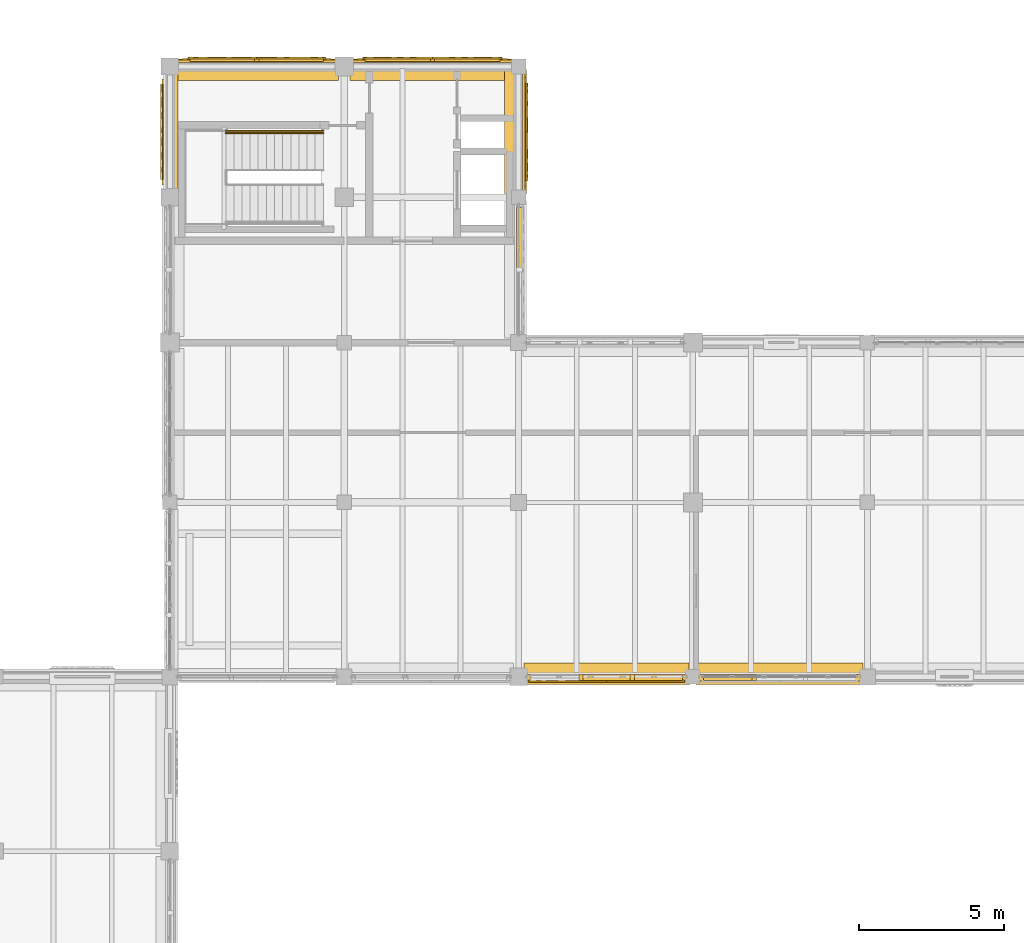
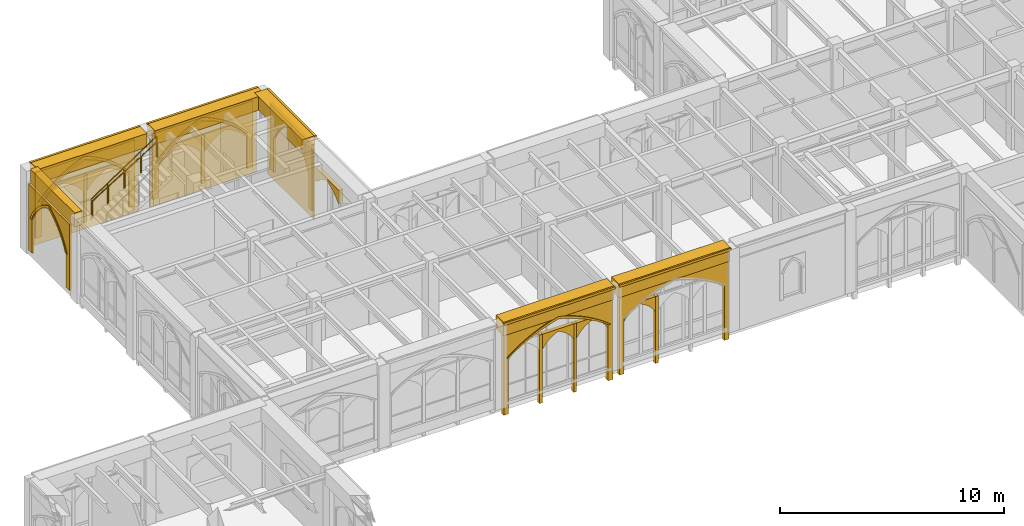
# One storey, part 121 of 143: 38 coverings, 2 railings.
"""IFC4 building model written with IfcOpenShell, lengths in metres."""

from ifc_helpers import new_model, si_unit, direction, frame, origin, origin_2d, place, context, subcontext, project, spatial, polyline, rectangle, circle, outline, extrude, material, type_object, element, save


model = new_model("IFC4")

# Units and contexts
model_context = context("Model", 3, precision=1e-05, world=origin(), true_north=direction((0.0, 1.0)))
body_context = subcontext(model_context, "Body", "Model", "MODEL_VIEW")
ifc_project = project(units=[si_unit("LENGTHUNIT", "METRE"), si_unit("AREAUNIT", "SQUARE_METRE"), si_unit("VOLUMEUNIT", "CUBIC_METRE"), si_unit("PLANEANGLEUNIT", "RADIAN"), si_unit("MASSUNIT", "GRAM", prefix="KILO")], contexts=[model_context])

# Site, building, storey
site_placement = place(None, origin())
site = spatial("IfcSite", under=ifc_project, at=site_placement, CompositionType="ELEMENT")
building_placement = place(site_placement, origin())
building = spatial("IfcBuilding", under=site, at=building_placement, Name="Cumevento Cable Car Station", CompositionType="ELEMENT")
storey_placement = place(building_placement, frame((0.0, 0.0, 9.0)))
storey = spatial("IfcBuildingStorey", under=building, at=storey_placement, Name="L03", CompositionType="ELEMENT", Elevation=9.0)

# Railings
ifc_material_1 = material(Name="Painted Galvanised Architectural Steel", Category="steel")
railing_type_1 = type_object("IfcRailingType", Name="Stair Guardrail GR-S115", PredefinedType="GUARDRAIL", material=ifc_material_1)
railing_1_placement = place(storey_placement, frame((23.919921875, 63.7900390625, 2.25)))
element("IfcRailing", 1, at=railing_1_placement, inside=storey, type_object=railing_type_1, Name="Stair Outer Guardrail ST-04-L03 F2", PredefinedType="GUARDRAIL", context=body_context, shape_type="SweptSolid", body=[
    extrude(circle(Radius=0.02392578125, at=origin_2d()), frame((0.0, 0.0, 1.1259765625), z_axis=(0.830915400975, 0.0, 0.556398774641), x_axis=(0.0, 1.0, 0.0)), (0.0, 0.0, 1.0), 4.0439453125),
    extrude(circle(Radius=0.02001953125, at=origin_2d()), origin(), (0.0, 0.0, 1.0), 1.101806640625),
    extrude(circle(Radius=0.02001953125, at=origin_2d()), frame((0.840087890625, 0.0, 0.5625)), (0.0, 0.0, 1.0), 1.101806640625),
    extrude(circle(Radius=0.02001953125, at=origin_2d()), frame((1.68017578125, 0.0, 1.125)), (0.0, 0.0, 1.0), 1.101806640625),
    extrude(circle(Radius=0.02001953125, at=origin_2d()), frame((2.52001953125, 0.0, 1.6875)), (0.0, 0.0, 1.0), 1.101806640625),
    extrude(circle(Radius=0.02001953125, at=origin_2d()), frame((3.360107421875, 0.0, 2.25)), (0.0, 0.0, 1.0), 1.101806640625),
])
ifc_material_2 = material(Name="Brushed Stainless Steel Handrail Tube", Category="steel")
railing_type_2 = type_object("IfcRailingType", Name="Stair Handrail HR-090", PredefinedType="HANDRAIL", material=ifc_material_2)
railing_2_placement = place(storey_placement, frame((23.919921875, 63.7099609375, 2.42626953125)))
element("IfcRailing", 2, at=railing_2_placement, inside=storey, type_object=railing_type_2, Name="Stair Pitch Handrail ST-04-L03 F2", PredefinedType="HANDRAIL", context=body_context, shape_type="SweptSolid", body=[
    extrude(circle(Radius=0.02099609375, at=origin_2d()), frame((0.0, 0.0, 0.87890625), z_axis=(0.850623216509, 0.0, 0.525775754039), x_axis=(0.0, 1.0, 0.0)), (0.0, 0.0, 1.0), 3.9501953125),
    extrude(circle(Radius=0.01611328125, at=origin_2d()), origin(), (0.0, 0.0, 1.0), 0.85791015625),
    extrude(circle(Radius=0.01611328125, at=origin_2d()), frame((0.840087890625, 0.0, 0.519287109375)), (0.0, 0.0, 1.0), 0.85791015625),
    extrude(circle(Radius=0.01611328125, at=origin_2d()), frame((1.68017578125, 0.0, 1.03857421875)), (0.0, 0.0, 1.0), 0.85791015625),
    extrude(circle(Radius=0.01611328125, at=origin_2d()), frame((2.52001953125, 0.0, 1.5576171875)), (0.0, 0.0, 1.0), 0.85791015625),
    extrude(circle(Radius=0.01611328125, at=origin_2d()), frame((3.360107421875, 0.0, 2.076904296875)), (0.0, 0.0, 1.0), 0.85791015625),
])

# Coverings
ifc_material_3 = material(Name="Gnaisse Facoidal Stone Ashlar 85 MPa", Category="masonry")
covering_type = type_object("IfcCoveringType", Name="Gnaisse Ashlar Cladding CV-CL01", PredefinedType="CLADDING", material=ifc_material_3)
covering_1_placement = place(storey_placement, frame((37.02490234375, 45.14990234375, 3.8330078125), z_axis=(0.0, 0.0, 1.0), x_axis=(-1.0, 0.0, 0.0)))
element("IfcCovering", 3, at=covering_1_placement, inside=storey, type_object=covering_type, Name="Gothic Stone Spandrel Stringcourse sc:0628", PredefinedType="CLADDING", context=body_context, shape_type="SweptSolid", body=[
    extrude(rectangle(XDim=5.68994140625, YDim=0.659912109375, at=origin_2d()), origin(), (0.0, 0.0, 1.0), 0.7470703125),
])
covering_2_placement = place(storey_placement, frame((37.02490234375, 44.79248046875, 4.449951171875), z_axis=(0.0, 0.0, 1.0), x_axis=(-1.0, 0.0, 0.0)))
element("IfcCovering", 4, at=covering_2_placement, inside=storey, type_object=covering_type, Name="Gothic Cornice Dripstone Lip sc:0628", PredefinedType="CLADDING", context=body_context, shape_type="SweptSolid", body=[
    extrude(rectangle(XDim=5.72998046875, YDim=0.114990234375, at=origin_2d()), origin(), (0.0, 0.0, 1.0), 0.1298828125),
])
covering_3_placement = place(storey_placement, frame((42.987548828125, 45.14990234375, 3.8330078125), z_axis=(0.0, 0.0, 1.0), x_axis=(-1.0, 0.0, 0.0)))
element("IfcCovering", 5, at=covering_3_placement, inside=storey, type_object=covering_type, Name="Gothic Stone Spandrel Stringcourse sc:0629", PredefinedType="CLADDING", context=body_context, shape_type="SweptSolid", body=[
    extrude(rectangle(XDim=5.715087890625, YDim=0.659912109375, at=origin_2d()), origin(), (0.0, 0.0, 1.0), 0.7470703125),
])
covering_4_placement = place(storey_placement, frame((42.987548828125, 44.79248046875, 4.449951171875), z_axis=(0.0, 0.0, 1.0), x_axis=(-1.0, 0.0, 0.0)))
element("IfcCovering", 6, at=covering_4_placement, inside=storey, type_object=covering_type, Name="Gothic Cornice Dripstone Lip sc:0629", PredefinedType="CLADDING", context=body_context, shape_type="SweptSolid", body=[
    extrude(rectangle(XDim=5.7548828125, YDim=0.114990234375, at=origin_2d()), origin(), (0.0, 0.0, 1.0), 0.1298828125),
])
covering_5_placement = place(storey_placement, frame((24.987548828125, 65.85009765625, 3.796875), z_axis=(0.0, 0.0, 1.0), x_axis=(1.0, 0.0, 0.0)))
element("IfcCovering", 7, at=covering_5_placement, inside=storey, type_object=covering_type, Name="Gothic Stone Spandrel Stringcourse sc:0636", PredefinedType="CLADDING", context=body_context, shape_type="SweptSolid", body=[
    extrude(rectangle(XDim=5.614990234375, YDim=0.659912109375, at=origin_2d()), origin(), (0.0, 0.0, 1.0), 0.7470703125),
])
covering_6_placement = place(storey_placement, frame((24.987548828125, 66.20751953125, 4.4140625), z_axis=(0.0, 0.0, 1.0), x_axis=(1.0, 0.0, 0.0)))
element("IfcCovering", 8, at=covering_6_placement, inside=storey, type_object=covering_type, Name="Gothic Cornice Dripstone Lip sc:0636", PredefinedType="CLADDING", context=body_context, shape_type="SweptSolid", body=[
    extrude(rectangle(XDim=5.655029296875, YDim=0.114990234375, at=origin_2d()), origin(), (0.0, 0.0, 1.0), 0.1298828125),
])
covering_7_placement = place(storey_placement, frame((31.03759765625, 65.85009765625, 3.796875), z_axis=(0.0, 0.0, 1.0), x_axis=(1.0, 0.0, 0.0)))
element("IfcCovering", 9, at=covering_7_placement, inside=storey, type_object=covering_type, Name="Gothic Stone Spandrel Stringcourse sc:0637", PredefinedType="CLADDING", context=body_context, shape_type="SweptSolid", body=[
    extrude(rectangle(XDim=5.6650390625, YDim=0.659912109375, at=origin_2d()), origin(), (0.0, 0.0, 1.0), 0.7470703125),
])
covering_8_placement = place(storey_placement, frame((31.03759765625, 66.20751953125, 4.4140625), z_axis=(0.0, 0.0, 1.0), x_axis=(1.0, 0.0, 0.0)))
element("IfcCovering", 10, at=covering_8_placement, inside=storey, type_object=covering_type, Name="Gothic Cornice Dripstone Lip sc:0637", PredefinedType="CLADDING", context=body_context, shape_type="SweptSolid", body=[
    extrude(rectangle(XDim=5.705078125, YDim=0.114990234375, at=origin_2d()), origin(), (0.0, 0.0, 1.0), 0.1298828125),
])
covering_9_placement = place(storey_placement, frame((22.090087890625, 63.75, 3.796875), z_axis=(0.0, 0.0, 1.0), x_axis=(0.0, 1.0, 0.0)))
element("IfcCovering", 11, at=covering_9_placement, inside=storey, type_object=covering_type, Name="Gothic Stone Spandrel Stringcourse sc:0639", PredefinedType="CLADDING", context=body_context, shape_type="SweptSolid", body=[
    extrude(rectangle(XDim=3.9599609375, YDim=0.3798828125, at=origin_2d()), origin(), (0.0, 0.0, 1.0), 0.7470703125),
])
covering_10_placement = place(storey_placement, frame((33.85009765625, 63.75, 3.796875), z_axis=(0.0, 0.0, 1.0), x_axis=(0.0, -1.0, 0.0)))
element("IfcCovering", 12, at=covering_10_placement, inside=storey, type_object=covering_type, Name="Gothic Stone Spandrel Stringcourse sc:0641", PredefinedType="CLADDING", context=body_context, shape_type="SweptSolid", body=[
    extrude(rectangle(XDim=4.239990234375, YDim=0.659912109375, at=origin_2d()), origin(), (0.0, 0.0, 1.0), 0.7470703125),
])
covering_11_placement = place(storey_placement, frame((34.20751953125, 63.75, 4.4140625), z_axis=(0.0, 0.0, 1.0), x_axis=(0.0, -1.0, 0.0)))
element("IfcCovering", 13, at=covering_11_placement, inside=storey, type_object=covering_type, Name="Gothic Cornice Dripstone Lip sc:0641", PredefinedType="CLADDING", context=body_context, shape_type="SweptSolid", body=[
    extrude(rectangle(XDim=4.280029296875, YDim=0.114990234375, at=origin_2d()), origin(), (0.0, 0.0, 1.0), 0.1298828125),
])
placement_1 = place(storey_placement, frame((39.75, 45.0, -0.52001953125), z_axis=(0.0, 0.0, 1.0), x_axis=(-1.0, 0.0, 0.0)))
element("IfcCovering", 14, at=placement_1, inside=storey, type_object=covering_type, Name="Gothic Ogival Pointed-Arch Stone Spandrel cw_ogival:0096", PredefinedType="CLADDING", context=body_context, shape_type="SweptSolid", body=[
    extrude(outline(polyline([(-0.080078125, 0.0), (-0.080078125, 4.492919921875), (5.530029296875, 4.492919921875), (5.530029296875, 0.0), (5.2900390625, 0.0), (5.2900390625, 3.069091796875), (4.999755859375, 3.2783203125), (4.69921875, 3.47216796875), (4.38916015625, 3.650634765625), (4.0703125, 3.812744140625), (3.74365234375, 3.95849609375), (3.409912109375, 4.08740234375), (3.070068359375, 4.198974609375), (2.72509765625, 4.29296875), (2.3798828125, 4.198974609375), (2.0400390625, 4.08740234375), (1.706298828125, 3.95849609375), (1.379638671875, 3.812744140625), (1.060791015625, 3.650634765625), (0.750732421875, 3.47216796875), (0.4501953125, 3.2783203125), (0.159912109375, 3.069091796875), (0.159912109375, 0.0), (-0.080078125, 0.0)])), frame((0.0, 0.139892578125, 0.0), z_axis=(0.0, -1.0, 0.0), x_axis=(1.0, 0.0, 0.0)), (0.0, 0.0, 1.0), 0.219970703125),
])
covering_13_placement = place(storey_placement, frame((39.75, 45.0, 2.549072265625), z_axis=(0.0, 0.0, 1.0), x_axis=(-1.0, 0.0, 0.0)))
element("IfcCovering", 15, at=covering_13_placement, inside=storey, type_object=covering_type, Name="Gothic Pointed Archivolt Hood Moulding cw_ogival:0096", PredefinedType="CLADDING", context=body_context, shape_type="SweptSolid", body=[
    extrude(outline(polyline([(0.159912109375, 0.0), (0.4501953125, 0.209228515625), (0.750732421875, 0.403076171875), (1.060791015625, 0.58154296875), (1.379638671875, 0.74365234375), (1.706298828125, 0.889404296875), (2.0400390625, 1.018310546875), (2.3798828125, 1.1298828125), (2.72509765625, 1.223876953125), (3.070068359375, 1.1298828125), (3.409912109375, 1.018310546875), (3.74365234375, 0.889404296875), (4.0703125, 0.74365234375), (4.38916015625, 0.58154296875), (4.69921875, 0.403076171875), (4.999755859375, 0.209228515625), (5.2900390625, 0.0), (5.39990234375, 0.0), (5.101318359375, 0.23193359375), (4.79052734375, 0.447265625), (4.46875, 0.6455078125), (4.136474609375, 0.826171875), (3.794921875, 0.98828125), (3.4453125, 1.132080078125), (3.088134765625, 1.25634765625), (2.72509765625, 1.361328125), (2.36181640625, 1.25634765625), (2.004638671875, 1.132080078125), (1.655029296875, 0.98828125), (1.3134765625, 0.826171875), (0.981201171875, 0.6455078125), (0.659423828125, 0.447265625), (0.3486328125, 0.23193359375), (0.050048828125, 0.0), (0.159912109375, 0.0)])), frame((0.0, 0.181884765625, 0.0), z_axis=(0.0, -1.0, 0.0), x_axis=(1.0, 0.0, 0.0)), (0.0, 0.0, 1.0), 0.06689453125),
])
element("IfcCovering", 16, at=placement_1, inside=storey, type_object=covering_type, Name="Gothic Bifora Stone Colonnette cw_ogival:0096 #1", PredefinedType="CLADDING", context=body_context, shape_type="SweptSolid", body=[
    extrude(outline(polyline([(1.77001953125, -0.02001953125), (1.919921875, -0.02001953125), (1.919921875, 3.70556640625), (1.77001953125, 3.70556640625), (1.77001953125, -0.02001953125)])), frame((0.0, 0.1279296875, 0.0), z_axis=(0.0, -1.0, 0.0), x_axis=(1.0, 0.0, 0.0)), (0.0, 0.0, 1.0), 0.205078125),
])
element("IfcCovering", 17, at=placement_1, inside=storey, type_object=covering_type, Name="Gothic Bifora Stone Colonnette cw_ogival:0096 #2", PredefinedType="CLADDING", context=body_context, shape_type="SweptSolid", body=[
    extrude(outline(polyline([(3.530029296875, -0.02001953125), (3.679931640625, -0.02001953125), (3.679931640625, 3.70556640625), (3.530029296875, 3.70556640625), (3.530029296875, -0.02001953125)])), frame((0.0, 0.1279296875, 0.0), z_axis=(0.0, -1.0, 0.0), x_axis=(1.0, 0.0, 0.0)), (0.0, 0.0, 1.0), 0.205078125),
])
for number, where, z_axis, x_axis, name in (
    (18, (39.6201171875, 45.0, 2.369140625), (0.0, 0.0, 1.0), (-1.0, 0.0, 0.0), "Gothic Ogival Pointed-Arch Stone Spandrel cw_ogival:0096:sub:0"),
    (19, (37.860107421875, 45.0, 2.369140625), (0.0, 0.0, 1.0), (-1.0, 0.0, 0.0), "Gothic Ogival Pointed-Arch Stone Spandrel cw_ogival:0096:sub:1"),
):
    element("IfcCovering", number, at=place(storey_placement, frame(where, z_axis=z_axis, x_axis=x_axis)), inside=storey, type_object=covering_type, Name=name, PredefinedType="CLADDING", context=body_context, shape_type="SweptSolid", body=[
        extrude(outline(polyline([(-0.02001953125, 0.0), (-0.02001953125, 0.81640625), (1.68994140625, 0.81640625), (1.68994140625, 0.0), (1.6298828125, 0.0), (1.5322265625, 0.150390625), (1.418701171875, 0.2890625), (1.29052734375, 0.41455078125), (1.1494140625, 0.525146484375), (0.996826171875, 0.619384765625), (0.8349609375, 0.6962890625), (0.673095703125, 0.619384765625), (0.5205078125, 0.525146484375), (0.37939453125, 0.41455078125), (0.251220703125, 0.2890625), (0.1376953125, 0.150390625), (0.0400390625, 0.0), (-0.02001953125, 0.0)])), frame((0.0, 0.1240234375, 0.0), z_axis=(0.0, -1.0, 0.0), x_axis=(1.0, 0.0, 0.0)), (0.0, 0.0, 1.0), 0.199951171875),
    ])
placement_2 = place(storey_placement, frame((45.72509765625, 45.0, -0.419921875), z_axis=(0.0, 0.0, 1.0), x_axis=(-1.0, 0.0, 0.0)))
element("IfcCovering", 20, at=placement_2, inside=storey, type_object=covering_type, Name="Gothic Ogival Pointed-Arch Stone Spandrel cw_ogival:0098", PredefinedType="CLADDING", context=body_context, shape_type="SweptSolid", body=[
    extrude(outline(polyline([(-0.080078125, 0.0), (-0.080078125, 4.39306640625), (5.554931640625, 4.39306640625), (5.554931640625, 0.0), (5.31494140625, 0.0), (5.31494140625, 3.005126953125), (5.021484375, 3.20849609375), (4.71826171875, 3.39697265625), (4.406005859375, 3.570068359375), (4.08544921875, 3.7275390625), (3.757568359375, 3.868896484375), (3.423095703125, 3.99365234375), (3.082763671875, 4.101806640625), (2.737548828125, 4.193115234375), (2.392333984375, 4.101806640625), (2.052001953125, 3.99365234375), (1.717529296875, 3.868896484375), (1.3896484375, 3.7275390625), (1.069091796875, 3.570068359375), (0.7568359375, 3.39697265625), (0.45361328125, 3.20849609375), (0.159912109375, 3.005126953125), (0.159912109375, 0.0), (-0.080078125, 0.0)])), frame((0.0, 0.139892578125, 0.0), z_axis=(0.0, -1.0, 0.0), x_axis=(1.0, 0.0, 0.0)), (0.0, 0.0, 1.0), 0.219970703125),
])
element("IfcCovering", 21, at=placement_2, inside=storey, type_object=covering_type, Name="Gothic Bifora Stone Colonnette cw_ogival:0098 #2", PredefinedType="CLADDING", context=body_context, shape_type="SweptSolid", body=[
    extrude(outline(polyline([(3.546630859375, -0.02001953125), (3.69677734375, -0.02001953125), (3.69677734375, 3.622802734375), (3.546630859375, 3.622802734375), (3.546630859375, -0.02001953125)])), frame((0.0, 0.1279296875, 0.0), z_axis=(0.0, -1.0, 0.0), x_axis=(1.0, 0.0, 0.0)), (0.0, 0.0, 1.0), 0.205078125),
])
covering_18_placement = place(storey_placement, frame((42.058349609375, 45.0, 2.405029296875), z_axis=(0.0, 0.0, 1.0), x_axis=(-1.0, 0.0, 0.0)))
element("IfcCovering", 22, at=covering_18_placement, inside=storey, type_object=covering_type, Name="Gothic Ogival Pointed-Arch Stone Spandrel cw_ogival:0098:sub:2", PredefinedType="CLADDING", context=body_context, shape_type="SweptSolid", body=[
    extrude(outline(polyline([(-0.02001953125, 0.0), (-0.02001953125, 0.797607421875), (1.6982421875, 0.797607421875), (1.6982421875, 0.0), (1.638427734375, 0.0), (1.538330078125, 0.146728515625), (1.423095703125, 0.281982421875), (1.2939453125, 0.404052734375), (1.15234375, 0.511474609375), (1.000244140625, 0.60302734375), (0.839111328125, 0.677734375), (0.677978515625, 0.60302734375), (0.52587890625, 0.511474609375), (0.38427734375, 0.404052734375), (0.255126953125, 0.281982421875), (0.139892578125, 0.146728515625), (0.0400390625, 0.0), (-0.02001953125, 0.0)])), frame((0.0, 0.1240234375, 0.0), z_axis=(0.0, -1.0, 0.0), x_axis=(1.0, 0.0, 0.0)), (0.0, 0.0, 1.0), 0.199951171875),
])
covering_19_placement = place(storey_placement, frame((34.0, 61.1201171875, 2.4755859375), z_axis=(0.0, 0.0, 1.0), x_axis=(0.0, -1.0, 0.0)))
element("IfcCovering", 23, at=covering_19_placement, inside=storey, type_object=covering_type, Name="Gothic Ogival Pointed-Arch Stone Spandrel cw_ogival:0103:sub:0", PredefinedType="CLADDING", context=body_context, shape_type="SweptSolid", body=[
    extrude(outline(polyline([(-0.02001953125, 0.0), (-0.02001953125, 0.7421875), (2.08251953125, 0.7421875), (2.08251953125, 0.0), (2.0224609375, 0.0), (1.881591796875, 0.137939453125), (1.7294921875, 0.263427734375), (1.567138671875, 0.37548828125), (1.395751953125, 0.472900390625), (1.216796875, 0.555419921875), (1.03125, 0.622314453125), (0.845703125, 0.555419921875), (0.666748046875, 0.472900390625), (0.495361328125, 0.37548828125), (0.3330078125, 0.263427734375), (0.180908203125, 0.137939453125), (0.0400390625, 0.0), (-0.02001953125, 0.0)])), frame((0.0, 0.1240234375, 0.0), z_axis=(0.0, -1.0, 0.0), x_axis=(1.0, 0.0, 0.0)), (0.0, 0.0, 1.0), 0.199951171875),
])
covering_20_placement = place(storey_placement, frame((22.300048828125, 66.0, 0.0), z_axis=(0.0, 0.0, 1.0), x_axis=(1.0, 0.0, 0.0)))
element("IfcCovering", 24, at=covering_20_placement, inside=storey, type_object=covering_type, Name="Exterior Gnaisse Stone Wall Ashlar #243", PredefinedType="CLADDING", context=body_context, shape_type="SweptSolid", body=[
    extrude(outline(polyline([(-0.0400390625, -0.02001953125), (5.4150390625, -0.02001953125), (5.4150390625, 3.876953125), (-0.0400390625, 3.876953125), (-0.0400390625, -0.02001953125)])), frame((0.0, 0.222412109375, 0.0), z_axis=(0.0, -1.0, 0.0), x_axis=(1.0, 0.0, 0.0)), (0.0, 0.0, 1.0), 0.0849609375),
])
placement_3 = place(storey_placement, frame((22.47998046875, 66.0, 0.300048828125), z_axis=(0.0, 0.0, 1.0), x_axis=(1.0, 0.0, 0.0)))
element("IfcCovering", 25, at=placement_3, inside=storey, type_object=covering_type, Name="Gothic Ogival Pointed-Arch Stone Spandrel blind_ogival:0243", PredefinedType="CLADDING", context=body_context, shape_type="SweptSolid", body=[
    extrude(outline(polyline([(-0.050048828125, 0.0), (-0.050048828125, 3.596923828125), (5.06494140625, 3.596923828125), (5.06494140625, 0.0), (4.7548828125, 0.0), (4.7548828125, 1.85986328125), (4.48974609375, 2.148681640625), (4.20263671875, 2.416015625), (3.895751953125, 2.659912109375), (3.57080078125, 2.87939453125), (3.2294921875, 3.07275390625), (2.87451171875, 3.239013671875), (2.507568359375, 3.376953125), (2.140380859375, 3.239013671875), (1.785400390625, 3.07275390625), (1.444091796875, 2.87939453125), (1.119140625, 2.659912109375), (0.812255859375, 2.416015625), (0.525146484375, 2.148681640625), (0.260009765625, 1.85986328125), (0.260009765625, 0.0), (-0.050048828125, 0.0)])), frame((0.0, 0.277587890625, 0.0), z_axis=(0.0, -1.0, 0.0), x_axis=(1.0, 0.0, 0.0)), (0.0, 0.0, 1.0), 0.110107421875),
])
covering_22_placement = place(storey_placement, frame((22.47998046875, 66.0, 2.159912109375), z_axis=(0.0, 0.0, 1.0), x_axis=(1.0, 0.0, 0.0)))
element("IfcCovering", 26, at=covering_22_placement, inside=storey, type_object=covering_type, Name="Gothic Pointed Archivolt Hood Moulding blind_ogival:0243", PredefinedType="CLADDING", context=body_context, shape_type="SweptSolid", body=[
    extrude(outline(polyline([(0.260009765625, 0.0), (0.525146484375, 0.288818359375), (0.812255859375, 0.55615234375), (1.119140625, 0.800048828125), (1.444091796875, 1.01953125), (1.785400390625, 1.212890625), (2.140380859375, 1.379150390625), (2.507568359375, 1.51708984375), (2.87451171875, 1.379150390625), (3.2294921875, 1.212890625), (3.57080078125, 1.01953125), (3.895751953125, 0.800048828125), (4.20263671875, 0.55615234375), (4.48974609375, 0.288818359375), (4.7548828125, 0.0), (4.8759765625, 0.0), (4.600830078125, 0.316650390625), (4.30126953125, 0.60986328125), (3.979248046875, 0.878173828125), (3.63623046875, 1.11962890625), (3.275146484375, 1.332763671875), (2.89794921875, 1.51611328125), (2.507568359375, 1.66845703125), (2.116943359375, 1.51611328125), (1.73974609375, 1.332763671875), (1.378662109375, 1.11962890625), (1.03564453125, 0.878173828125), (0.713623046875, 0.60986328125), (0.4140625, 0.316650390625), (0.138916015625, 0.0), (0.260009765625, 0.0)])), frame((0.0, 0.319580078125, 0.0), z_axis=(0.0, -1.0, 0.0), x_axis=(1.0, 0.0, 0.0)), (0.0, 0.0, 1.0), 0.06689453125),
])
element("IfcCovering", 27, at=placement_3, inside=storey, type_object=covering_type, Name="Gothic Bifora Stone Colonnette blind_ogival:0243 #1", PredefinedType="CLADDING", context=body_context, shape_type="SweptSolid", body=[
    extrude(outline(polyline([(2.4326171875, -0.02001953125), (2.58251953125, -0.02001953125), (2.58251953125, 2.648681640625), (2.4326171875, 2.648681640625), (2.4326171875, -0.02001953125)])), frame((0.0, 0.265380859375, 0.0), z_axis=(0.0, -1.0, 0.0), x_axis=(1.0, 0.0, 0.0)), (0.0, 0.0, 1.0), 0.094970703125),
])
for number, where, z_axis, x_axis, name in (
    (28, (22.7099609375, 66.0, 1.97998046875), (0.0, 0.0, 1.0), (1.0, 0.0, 0.0), "Gothic Ogival Pointed-Arch Stone Spandrel blind_ogival:0243:sub:0"),
    (29, (25.032470703125, 66.0, 1.97998046875), (0.0, 0.0, 1.0), (1.0, 0.0, 0.0), "Gothic Ogival Pointed-Arch Stone Spandrel blind_ogival:0243:sub:1"),
):
    element("IfcCovering", number, at=place(storey_placement, frame(where, z_axis=z_axis, x_axis=x_axis)), inside=storey, type_object=covering_type, Name=name, PredefinedType="CLADDING", context=body_context, shape_type="SweptSolid", body=[
        extrude(outline(polyline([(-0.02001953125, 0.0), (-0.02001953125, 0.968994140625), (2.25244140625, 0.968994140625), (2.25244140625, 0.0), (2.1923828125, 0.0), (2.052490234375, 0.18505859375), (1.89453125, 0.35498046875), (1.719970703125, 0.5078125), (1.53076171875, 0.641845703125), (1.328857421875, 0.756103515625), (1.1162109375, 0.848876953125), (0.903564453125, 0.756103515625), (0.70166015625, 0.641845703125), (0.512451171875, 0.5078125), (0.337890625, 0.35498046875), (0.179931640625, 0.18505859375), (0.0400390625, 0.0), (-0.02001953125, 0.0)])), frame((0.0, 0.261474609375, 0.0), z_axis=(0.0, -1.0, 0.0), x_axis=(1.0, 0.0, 0.0)), (0.0, 0.0, 1.0), 0.090087890625),
    ])
covering_24_placement = place(storey_placement, frame((28.324951171875, 66.0, 0.0), z_axis=(0.0, 0.0, 1.0), x_axis=(1.0, 0.0, 0.0)))
element("IfcCovering", 30, at=covering_24_placement, inside=storey, type_object=covering_type, Name="Exterior Gnaisse Stone Wall Ashlar #244", PredefinedType="CLADDING", context=body_context, shape_type="SweptSolid", body=[
    extrude(outline(polyline([(-0.0400390625, -0.02001953125), (5.465087890625, -0.02001953125), (5.465087890625, 3.876953125), (-0.0400390625, 3.876953125), (-0.0400390625, -0.02001953125)])), frame((0.0, 0.222412109375, 0.0), z_axis=(0.0, -1.0, 0.0), x_axis=(1.0, 0.0, 0.0)), (0.0, 0.0, 1.0), 0.0849609375),
])
placement_4 = place(storey_placement, frame((28.5048828125, 66.0, 0.300048828125), z_axis=(0.0, 0.0, 1.0), x_axis=(1.0, 0.0, 0.0)))
element("IfcCovering", 31, at=placement_4, inside=storey, type_object=covering_type, Name="Gothic Ogival Pointed-Arch Stone Spandrel blind_ogival:0244", PredefinedType="CLADDING", context=body_context, shape_type="SweptSolid", body=[
    extrude(outline(polyline([(-0.050048828125, 0.0), (-0.050048828125, 3.596923828125), (5.114990234375, 3.596923828125), (5.114990234375, 0.0), (4.804931640625, 0.0), (4.804931640625, 1.85986328125), (4.53564453125, 2.14892578125), (4.244873046875, 2.416259765625), (3.93408203125, 2.660400390625), (3.605712890625, 2.879638671875), (3.260986328125, 3.072998046875), (2.902587890625, 3.239013671875), (2.532470703125, 3.376953125), (2.162353515625, 3.239013671875), (1.803955078125, 3.072998046875), (1.459228515625, 2.879638671875), (1.130859375, 2.660400390625), (0.820068359375, 2.416259765625), (0.529296875, 2.14892578125), (0.260009765625, 1.85986328125), (0.260009765625, 0.0), (-0.050048828125, 0.0)])), frame((0.0, 0.277587890625, 0.0), z_axis=(0.0, -1.0, 0.0), x_axis=(1.0, 0.0, 0.0)), (0.0, 0.0, 1.0), 0.110107421875),
])
covering_26_placement = place(storey_placement, frame((28.5048828125, 66.0, 2.159912109375), z_axis=(0.0, 0.0, 1.0), x_axis=(1.0, 0.0, 0.0)))
element("IfcCovering", 32, at=covering_26_placement, inside=storey, type_object=covering_type, Name="Gothic Pointed Archivolt Hood Moulding blind_ogival:0244", PredefinedType="CLADDING", context=body_context, shape_type="SweptSolid", body=[
    extrude(outline(polyline([(0.260009765625, 0.0), (0.529296875, 0.2890625), (0.820068359375, 0.556396484375), (1.130859375, 0.800537109375), (1.459228515625, 1.019775390625), (1.803955078125, 1.213134765625), (2.162353515625, 1.379150390625), (2.532470703125, 1.51708984375), (2.902587890625, 1.379150390625), (3.260986328125, 1.213134765625), (3.605712890625, 1.019775390625), (3.93408203125, 0.800537109375), (4.244873046875, 0.556396484375), (4.53564453125, 0.2890625), (4.804931640625, 0.0), (4.926025390625, 0.0), (4.64697265625, 0.31689453125), (4.343505859375, 0.6103515625), (4.017578125, 0.878662109375), (3.671142578125, 1.1201171875), (3.306640625, 1.3330078125), (2.92626953125, 1.51611328125), (2.532470703125, 1.66845703125), (2.138671875, 1.51611328125), (1.75830078125, 1.3330078125), (1.393798828125, 1.1201171875), (1.04736328125, 0.878662109375), (0.721435546875, 0.6103515625), (0.41796875, 0.31689453125), (0.138916015625, 0.0), (0.260009765625, 0.0)])), frame((0.0, 0.319580078125, 0.0), z_axis=(0.0, -1.0, 0.0), x_axis=(1.0, 0.0, 0.0)), (0.0, 0.0, 1.0), 0.06689453125),
])
element("IfcCovering", 33, at=placement_4, inside=storey, type_object=covering_type, Name="Gothic Bifora Stone Colonnette blind_ogival:0244 #1", PredefinedType="CLADDING", context=body_context, shape_type="SweptSolid", body=[
    extrude(outline(polyline([(2.45751953125, -0.02001953125), (2.607421875, -0.02001953125), (2.607421875, 2.648681640625), (2.45751953125, 2.648681640625), (2.45751953125, -0.02001953125)])), frame((0.0, 0.265380859375, 0.0), z_axis=(0.0, -1.0, 0.0), x_axis=(1.0, 0.0, 0.0)), (0.0, 0.0, 1.0), 0.094970703125),
])
for number, where, z_axis, x_axis, name in (
    (34, (28.735107421875, 66.0, 1.97998046875), (0.0, 0.0, 1.0), (1.0, 0.0, 0.0), "Gothic Ogival Pointed-Arch Stone Spandrel blind_ogival:0244:sub:0"),
    (35, (31.08251953125, 66.0, 1.97998046875), (0.0, 0.0, 1.0), (1.0, 0.0, 0.0), "Gothic Ogival Pointed-Arch Stone Spandrel blind_ogival:0244:sub:1"),
):
    element("IfcCovering", number, at=place(storey_placement, frame(where, z_axis=z_axis, x_axis=x_axis)), inside=storey, type_object=covering_type, Name=name, PredefinedType="CLADDING", context=body_context, shape_type="SweptSolid", body=[
        extrude(outline(polyline([(-0.02001953125, 0.0), (-0.02001953125, 0.968994140625), (2.277587890625, 0.968994140625), (2.277587890625, 0.0), (2.217529296875, 0.0), (2.075439453125, 0.185302734375), (1.9150390625, 0.355224609375), (1.73828125, 0.508056640625), (1.547119140625, 0.64208984375), (1.34326171875, 0.756103515625), (1.128662109375, 0.848876953125), (0.914306640625, 0.756103515625), (0.71044921875, 0.64208984375), (0.519287109375, 0.508056640625), (0.342529296875, 0.355224609375), (0.18212890625, 0.185302734375), (0.0400390625, 0.0), (-0.02001953125, 0.0)])), frame((0.0, 0.261474609375, 0.0), z_axis=(0.0, -1.0, 0.0), x_axis=(1.0, 0.0, 0.0)), (0.0, 0.0, 1.0), 0.090087890625),
    ])
covering_28_placement = place(storey_placement, frame((22.0, 61.97998046875, 0.300048828125), z_axis=(0.0, 0.0, 1.0), x_axis=(0.0, 1.0, 0.0)))
element("IfcCovering", 36, at=covering_28_placement, inside=storey, type_object=covering_type, Name="Gothic Ogival Pointed-Arch Stone Spandrel blind_ogival:0245", PredefinedType="CLADDING", context=body_context, shape_type="SweptSolid", body=[
    extrude(outline(polyline([(-0.050048828125, 0.0), (-0.050048828125, 3.596923828125), (3.590087890625, 3.596923828125), (3.590087890625, 0.0), (3.280029296875, 0.0), (3.280029296875, 1.85986328125), (3.137939453125, 2.13818359375), (2.9677734375, 2.400146484375), (2.771240234375, 2.64306640625), (2.551025390625, 2.864501953125), (2.308837890625, 3.06201171875), (2.047607421875, 3.2333984375), (1.77001953125, 3.376953125), (1.492431640625, 3.2333984375), (1.231201171875, 3.06201171875), (0.989013671875, 2.864501953125), (0.768798828125, 2.64306640625), (0.572265625, 2.400146484375), (0.402099609375, 2.13818359375), (0.260009765625, 1.85986328125), (0.260009765625, 0.0), (-0.050048828125, 0.0)])), frame((0.0, 0.277587890625, 0.0), z_axis=(0.0, -1.0, 0.0), x_axis=(1.0, 0.0, 0.0)), (0.0, 0.0, 1.0), 0.110107421875),
])
covering_29_placement = place(storey_placement, frame((22.0, 61.97998046875, 2.159912109375), z_axis=(0.0, 0.0, 1.0), x_axis=(0.0, 1.0, 0.0)))
element("IfcCovering", 37, at=covering_29_placement, inside=storey, type_object=covering_type, Name="Gothic Pointed Archivolt Hood Moulding blind_ogival:0245", PredefinedType="CLADDING", context=body_context, shape_type="SweptSolid", body=[
    extrude(outline(polyline([(0.260009765625, 0.0), (0.402099609375, 0.2783203125), (0.572265625, 0.540283203125), (0.768798828125, 0.783203125), (0.989013671875, 1.004638671875), (1.231201171875, 1.2021484375), (1.492431640625, 1.37353515625), (1.77001953125, 1.51708984375), (2.047607421875, 1.37353515625), (2.308837890625, 1.2021484375), (2.551025390625, 1.004638671875), (2.771240234375, 0.783203125), (2.9677734375, 0.540283203125), (3.137939453125, 0.2783203125), (3.280029296875, 0.0), (3.40087890625, 0.0), (3.249755859375, 0.305419921875), (3.0673828125, 0.59326171875), (2.85595703125, 0.8603515625), (2.617919921875, 1.10400390625), (2.35546875, 1.321533203125), (2.07177734375, 1.51025390625), (1.77001953125, 1.66845703125), (1.46826171875, 1.51025390625), (1.1845703125, 1.321533203125), (0.922119140625, 1.10400390625), (0.68408203125, 0.8603515625), (0.47265625, 0.59326171875), (0.290283203125, 0.305419921875), (0.138916015625, 0.0), (0.260009765625, 0.0)])), frame((0.0, 0.319580078125, 0.0), z_axis=(0.0, -1.0, 0.0), x_axis=(1.0, 0.0, 0.0)), (0.0, 0.0, 1.0), 0.06689453125),
])
covering_30_placement = place(storey_placement, frame((34.0, 65.75, 0.0), z_axis=(0.0, 0.0, 1.0), x_axis=(0.0, -1.0, 0.0)))
element("IfcCovering", 38, at=covering_30_placement, inside=storey, type_object=covering_type, Name="Exterior Gnaisse Stone Wall Ashlar #246", PredefinedType="CLADDING", context=body_context, shape_type="SweptSolid", body=[
    extrude(outline(polyline([(-0.0400390625, -0.02001953125), (4.0400390625, -0.02001953125), (4.0400390625, 3.876953125), (-0.0400390625, 3.876953125), (-0.0400390625, -0.02001953125)])), frame((0.0, 0.222412109375, 0.0), z_axis=(0.0, -1.0, 0.0), x_axis=(1.0, 0.0, 0.0)), (0.0, 0.0, 1.0), 0.0849609375),
])
covering_31_placement = place(storey_placement, frame((34.0, 65.570068359375, 0.300048828125), z_axis=(0.0, 0.0, 1.0), x_axis=(0.0, -1.0, 0.0)))
element("IfcCovering", 39, at=covering_31_placement, inside=storey, type_object=covering_type, Name="Gothic Ogival Pointed-Arch Stone Spandrel blind_ogival:0246", PredefinedType="CLADDING", context=body_context, shape_type="SweptSolid", body=[
    extrude(outline(polyline([(-0.050048828125, 0.0), (-0.050048828125, 3.596923828125), (3.68994140625, 3.596923828125), (3.68994140625, 0.0), (3.3798828125, 0.0), (3.3798828125, 1.85986328125), (3.22900390625, 2.13916015625), (3.05078125, 2.401611328125), (2.846923828125, 2.644775390625), (2.619384765625, 2.865966796875), (2.37060546875, 3.063232421875), (2.103271484375, 3.234130859375), (1.820068359375, 3.376953125), (1.53662109375, 3.234130859375), (1.269287109375, 3.063232421875), (1.0205078125, 2.865966796875), (0.79296875, 2.644775390625), (0.589111328125, 2.401611328125), (0.410888671875, 2.13916015625), (0.260009765625, 1.85986328125), (0.260009765625, 0.0), (-0.050048828125, 0.0)])), frame((0.0, 0.277587890625, 0.0), z_axis=(0.0, -1.0, 0.0), x_axis=(1.0, 0.0, 0.0)), (0.0, 0.0, 1.0), 0.110107421875),
])
covering_32_placement = place(storey_placement, frame((34.0, 65.570068359375, 2.159912109375), z_axis=(0.0, 0.0, 1.0), x_axis=(0.0, -1.0, 0.0)))
element("IfcCovering", 40, at=covering_32_placement, inside=storey, type_object=covering_type, Name="Gothic Pointed Archivolt Hood Moulding blind_ogival:0246", PredefinedType="CLADDING", context=body_context, shape_type="SweptSolid", body=[
    extrude(outline(polyline([(0.260009765625, 0.0), (0.410888671875, 0.279296875), (0.589111328125, 0.541748046875), (0.79296875, 0.784912109375), (1.0205078125, 1.006103515625), (1.269287109375, 1.203369140625), (1.53662109375, 1.374267578125), (1.820068359375, 1.51708984375), (2.103271484375, 1.374267578125), (2.37060546875, 1.203369140625), (2.619384765625, 1.006103515625), (2.846923828125, 0.784912109375), (3.05078125, 0.541748046875), (3.22900390625, 0.279296875), (3.3798828125, 0.0), (3.5009765625, 0.0), (3.341064453125, 0.306396484375), (3.150634765625, 0.5947265625), (2.931396484375, 0.862060546875), (2.686279296875, 1.10546875), (2.417236328125, 1.322509765625), (2.12744140625, 1.5107421875), (1.820068359375, 1.66845703125), (1.512451171875, 1.5107421875), (1.22265625, 1.322509765625), (0.95361328125, 1.10546875), (0.70849609375, 0.862060546875), (0.4892578125, 0.5947265625), (0.298828125, 0.306396484375), (0.138916015625, 0.0), (0.260009765625, 0.0)])), frame((0.0, 0.319580078125, 0.0), z_axis=(0.0, -1.0, 0.0), x_axis=(1.0, 0.0, 0.0)), (0.0, 0.0, 1.0), 0.06689453125),
])

save(model, "model.ifc")
